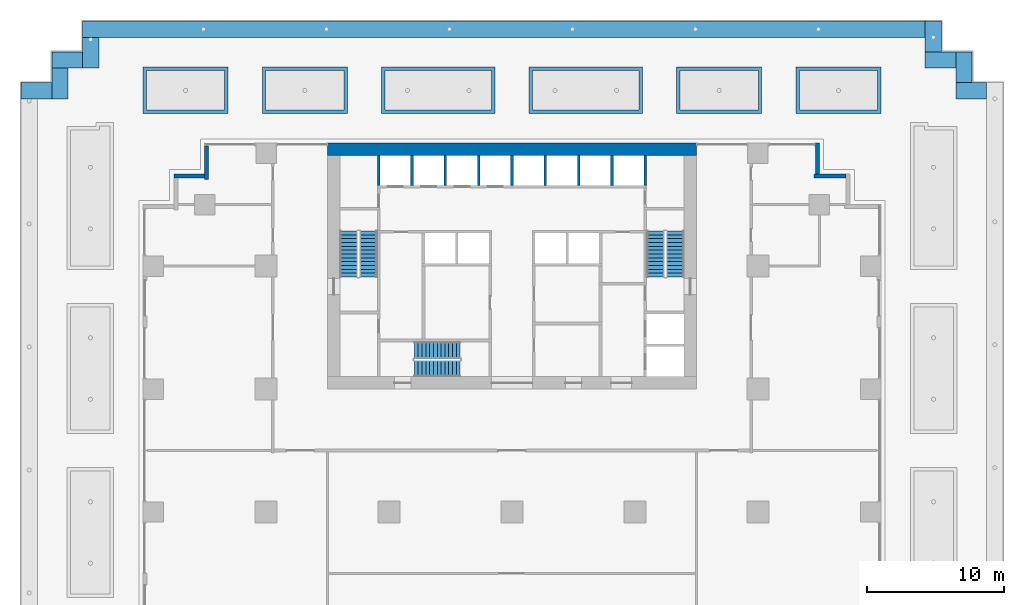
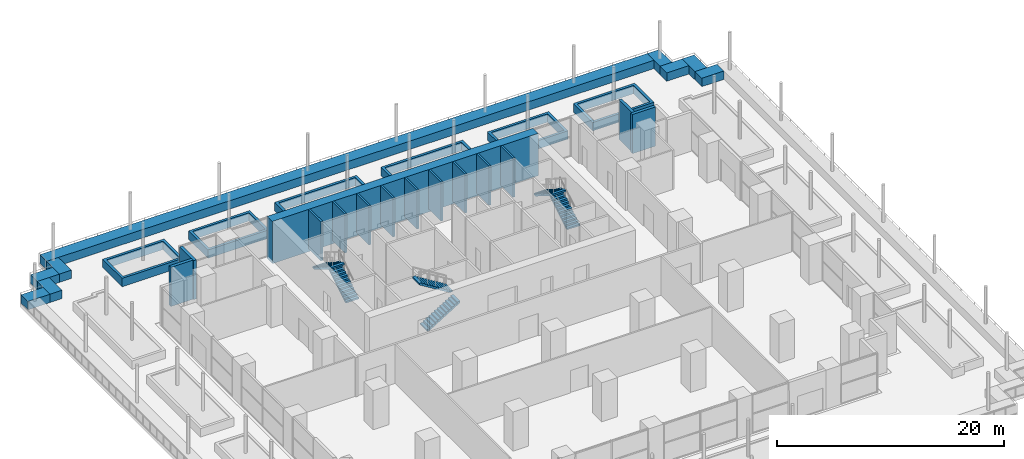
# One storey, part 12 of 18: 29 walls, 6 stair flights, 3 elements without a shape of their own.
"""IFC4 building model written with IfcOpenShell, lengths in metres."""

import ifcopenshell
import ifcopenshell.guid

model = None  # the IFC model being written
_history = None  # IfcOwnerHistory: only IFC2X3 demands one
_inside = {}  # id of a spatial element -> (the spatial element, [elements in it])
_under = {}  # id of a project, library or spatial element -> (it, [spatial elements below it])
_declared = {}  # id of a project -> (the project, [libraries it declares])
_typed = {}  # id of a type object -> (the type object, [elements of that type])
_made_of = {}  # id of a material, layer set ... -> (it, [elements and type objects made of it])


def new_model(schema):
    """Start an empty IFC model of exactly this schema.

    Asked for "IFC4X3", IfcOpenShell would pick the latest addendum, in which some entities
    have other attributes; the version numbers below select the first issue.
    IFC2X3 requires an IfcOwnerHistory on every rooted entity: one is made here for all.
    """
    global model, _history
    if schema == "IFC4X3":
        model = ifcopenshell.file(schema_version=(4, 3, 0, 0))
    else:
        model = ifcopenshell.file(schema=schema)
    _inside.clear()
    _under.clear()
    _declared.clear()
    _typed.clear()
    _made_of.clear()
    _history = None
    if model.schema == "IFC2X3":
        org = make("IfcOrganization", Name="unknown")
        user = make(
            "IfcPersonAndOrganization",
            ThePerson=make("IfcPerson", FamilyName="unknown"),
            TheOrganization=org,
        )
        app = make(
            "IfcApplication",
            ApplicationDeveloper=org,
            Version="unknown",
            ApplicationFullName="unknown",
            ApplicationIdentifier="unknown",
        )
        _history = make(
            "IfcOwnerHistory",
            OwningUser=user,
            OwningApplication=app,
            ChangeAction="ADDED",
            CreationDate=0,
        )
    return model


def make(cls, **values):
    """One entity of the class cls with the attributes given. An attribute that is None is left unset."""
    return model.create_entity(
        cls, **{name: value for name, value in values.items() if value is not None}
    )


def rooted(cls, **values):
    """An entity with a GlobalId (a new one), such as an element, a storey or a relation."""
    return make(cls, GlobalId=ifcopenshell.guid.new(), OwnerHistory=_history, **values)


def si_unit(unit_type, name, prefix=None):
    """IfcSIUnit, for example si_unit("LENGTHUNIT", "METRE", prefix="MILLI")."""
    return make("IfcSIUnit", UnitType=unit_type, Prefix=prefix, Name=name)


def assignment(units):
    """IfcUnitAssignment: the units of a project."""
    return None if units is None else make("IfcUnitAssignment", Units=units)


def point(xyz):
    """IfcCartesianPoint."""
    return None if xyz is None else make("IfcCartesianPoint", Coordinates=xyz)


def direction(xyz):
    """IfcDirection."""
    return None if xyz is None else make("IfcDirection", DirectionRatios=xyz)


def frame(location, z_axis=None, x_axis=None):
    """IfcAxis2Placement3D, a coordinate frame: its origin and axes. An axis left out is left unset."""
    return make(
        "IfcAxis2Placement3D",
        Location=point(location),
        Axis=direction(z_axis),
        RefDirection=direction(x_axis),
    )


def frame_2d(location, x_axis=None):
    """IfcAxis2Placement2D, a coordinate frame in the plane: its origin and x axis."""
    return make(
        "IfcAxis2Placement2D", Location=point(location), RefDirection=direction(x_axis)
    )


def origin():
    """The frame at (0, 0, 0) with its axes left unset."""
    return frame((0.0, 0.0, 0.0))


def place(relative_to, where):
    """IfcLocalPlacement: puts the frame where relative to a parent placement (None: the world)."""
    return make(
        "IfcLocalPlacement", PlacementRelTo=relative_to, RelativePlacement=where
    )


def context(
    kind, dimensions, precision=None, world=None, true_north=None, identifier=None
):
    """IfcGeometricRepresentationContext, for example the 3D "Model" context."""
    return make(
        "IfcGeometricRepresentationContext",
        ContextIdentifier=identifier,
        ContextType=kind,
        CoordinateSpaceDimension=dimensions,
        Precision=precision,
        WorldCoordinateSystem=world,
        TrueNorth=true_north,
    )


def subcontext(parent, identifier, kind, view, scale=None):
    """IfcGeometricRepresentationSubContext, for example "Body" below "Model"."""
    return make(
        "IfcGeometricRepresentationSubContext",
        ContextIdentifier=identifier,
        ContextType=kind,
        ParentContext=parent,
        TargetScale=scale,
        TargetView=view,
    )


def project(units=None, contexts=None):
    """IfcProject with its units and contexts."""
    return rooted(
        "IfcProject",
        Name="project",
        RepresentationContexts=contexts,
        UnitsInContext=assignment(units),
    )


def spatial(cls, under=None, at=None, **own):
    """A site, building, storey or space (cls), placed at a placement, below another one or the project."""
    s = rooted(cls, ObjectPlacement=at, **own)
    if under is not None:
        _under.setdefault(under.id(), (under, []))[1].append(s)
    return s


def polyline(points):
    """IfcPolyline through the points."""
    return make("IfcPolyline", Points=[point(p) for p in points])


def profile(cls, at=None, kind="AREA", **sizes):
    """A parametric profile (cls). Its sizes go by their IFC names, for example OverallWidth=200.0."""
    return make(cls, ProfileType=kind, Position=at, **sizes)


def rectangle(**sizes):
    """IfcRectangleProfileDef."""
    return profile("IfcRectangleProfileDef", **sizes)


def outline(outer, holes=None, kind="AREA"):
    """IfcArbitraryClosedProfileDef: a profile drawn as a closed curve; with holes, ...WithVoids."""
    if holes is None:
        return make("IfcArbitraryClosedProfileDef", ProfileType=kind, OuterCurve=outer)
    return make(
        "IfcArbitraryProfileDefWithVoids",
        ProfileType=kind,
        OuterCurve=outer,
        InnerCurves=holes,
    )


def extrude(swept, where, along, depth):
    """IfcExtrudedAreaSolid: the profile swept, set in the frame where, extruded along a direction by depth."""
    return make(
        "IfcExtrudedAreaSolid",
        SweptArea=swept,
        Position=where,
        ExtrudedDirection=direction(along),
        Depth=depth,
    )


def shape(context_of_items, identifier, shape_type, items):
    """IfcShapeRepresentation: the items that make up one representation, for example the "Body"."""
    return make(
        "IfcShapeRepresentation",
        ContextOfItems=context_of_items,
        RepresentationIdentifier=identifier,
        RepresentationType=shape_type,
        Items=items,
    )


def material(Name=None, Category=None):
    """IfcMaterial."""
    return make("IfcMaterial", Name=Name, Category=Category)


def layer(
    of_material, thickness, ventilated=None, Name=None, Category=None, Priority=None
):
    """IfcMaterialLayer: one layer of a wall or slab, of a material (None: an air gap)."""
    return make(
        "IfcMaterialLayer",
        Material=of_material,
        LayerThickness=thickness,
        IsVentilated=ventilated,
        Name=Name,
        Category=Category,
        Priority=Priority,
    )


def layer_set(layers, Name=None):
    """IfcMaterialLayerSet."""
    return make("IfcMaterialLayerSet", MaterialLayers=layers, LayerSetName=Name)


def made_of(thing, what):
    """Note that an element or type object is made of a material, layer set ...; save() writes the relation."""
    if what is not None:
        _made_of.setdefault(what.id(), (what, []))[1].append(thing)
    return thing


def type_object(cls, material=None, **own):
    """A type object (cls), such as IfcWallType, which elements share."""
    return made_of(rooted(cls, **own), material)


def element(
    cls,
    number,
    at=None,
    inside=None,
    cuts=None,
    type_object=None,
    material=None,
    context=None,
    identifier="Body",
    shape_type=None,
    held_by="IfcProductDefinitionShape",
    body=None,
    shapes=None,
    **own,
):
    """One element of the class cls, such as IfcWall. Its Tag is "e" and its number.

    at: its placement. inside: the storey or other place that contains it. cuts: it is an
    opening in that element (IfcRelVoidsElement). A single representation is given by context,
    identifier, shape_type and body (its items); several are given by shapes. held_by: the class
    of the entity that holds the representations. save() writes the other relations.
    """
    e = rooted(cls, Tag="e%d" % number, ObjectPlacement=at, **own)
    if body is not None:
        shapes = [shape(context, identifier, shape_type, body)]
    if shapes is not None:
        e.Representation = make(held_by, Representations=shapes)
    if inside is not None:
        _inside.setdefault(inside.id(), (inside, []))[1].append(e)
    if cuts is not None:
        rooted(
            "IfcRelVoidsElement", RelatingBuildingElement=cuts, RelatedOpeningElement=e
        )
    if type_object is not None:
        _typed.setdefault(type_object.id(), (type_object, []))[1].append(e)
    return made_of(e, material)


def aggregate(whole, parts):
    """IfcRelAggregates: a whole, such as a stair, and the parts it consists of."""
    return rooted("IfcRelAggregates", RelatingObject=whole, RelatedObjects=parts)


def save(model, path):
    """Write the relations noted so far, then the file.

    IfcRelAggregates (storeys below a building ...), IfcRelContainedInSpatialStructure (elements
    in a storey), IfcRelDefinesByType, IfcRelAssociatesMaterial and IfcRelDeclares: one each for
    every whole, place, type object, material and project.
    """
    for whole, parts in _under.values():
        aggregate(whole, parts)
    for where, things in _inside.values():
        rooted(
            "IfcRelContainedInSpatialStructure",
            RelatedElements=things,
            RelatingStructure=where,
        )
    for kind, things in _typed.values():
        rooted("IfcRelDefinesByType", RelatedObjects=things, RelatingType=kind)
    for what, things in _made_of.values():
        rooted("IfcRelAssociatesMaterial", RelatedObjects=things, RelatingMaterial=what)
    for by, libraries in _declared.values():
        rooted("IfcRelDeclares", RelatingContext=by, RelatedDefinitions=libraries)
    model.write(path)


model = new_model("IFC4")

# Units and contexts
model_context = context("Model", 3, precision=1e-05, world=origin(), true_north=direction((0.0, 1.0)))
body_context = subcontext(model_context, "Body", "Model", "MODEL_VIEW")
ifc_project = project(units=[si_unit("LENGTHUNIT", "METRE"), si_unit("AREAUNIT", "SQUARE_METRE"), si_unit("VOLUMEUNIT", "CUBIC_METRE"), si_unit("PLANEANGLEUNIT", "RADIAN"), si_unit("MASSUNIT", "GRAM", prefix="KILO")], contexts=[model_context])

# Site, building, storey
site_placement = place(None, origin())
site = spatial("IfcSite", under=ifc_project, at=site_placement, CompositionType="ELEMENT")
building_placement = place(site_placement, origin())
building = spatial("IfcBuilding", under=site, at=building_placement, Name="Orbiselva Terraces", CompositionType="ELEMENT")
storey_placement = place(building_placement, frame((0.0, 0.0, 10.5)))
storey = spatial("IfcBuildingStorey", under=building, at=storey_placement, Name="L02", CompositionType="ELEMENT", Elevation=10.5)

# Walls
ifc_material_1 = material(Name="Concrete C80/95", Category="concrete")
ifc_layer_1 = layer(ifc_material_1, 0.9)
ifc_layer_set_1 = layer_set([ifc_layer_1], Name="Concrete C80/95")
wall_type_1 = type_object("IfcWallType", Name="CORE WALL 900 EXTERNAL", PredefinedType="SHEAR", material=ifc_layer_set_1)
wall_1_placement = place(storey_placement, frame((13.5, 22.05, -0.35), z_axis=(0.0, 0.0, 1.0), x_axis=(-1.0, 0.0, 0.0)))
element("IfcWall", 1, at=wall_1_placement, inside=storey, type_object=wall_type_1, Name="Core wall L02 north", PredefinedType="SHEAR", context=body_context, shape_type="SweptSolid", body=[
    extrude(rectangle(XDim=27.0, YDim=0.9, at=frame_2d((13.5, 0.0))), origin(), (0.0, 0.0, 1.0), 4.55),
])
ifc_material_2 = material(Name="Concrete C40/50", Category="concrete")
ifc_layer_2 = layer(ifc_material_2, 0.2)
ifc_layer_set_2 = layer_set([ifc_layer_2], Name="Concrete C40/50")
wall_type_2 = type_object("IfcWallType", Name="CORE-WALL-SHAFT-200", PredefinedType="PARTITIONING", material=ifc_layer_set_2)
for number, where, z_axis, x_axis, name in (
    (2, (-9.75, 19.4, 0.0), (0.0, 0.0, 1.0), (0.0, 1.0, 0.0), "L02 core wall 11"),
    (3, (-7.3125, 19.4, 0.0), (0.0, 0.0, 1.0), (0.0, 1.0, 0.0), "L02 core wall 12"),
    (4, (-4.875, 19.4, 0.0), (0.0, 0.0, 1.0), (0.0, 1.0, 0.0), "L02 core wall 16"),
    (5, (-2.4375, 19.4, 0.0), (0.0, 0.0, 1.0), (0.0, 1.0, 0.0), "L02 core wall 18"),
    (6, (0.0, 19.4, 0.0), (0.0, 0.0, 1.0), (0.0, 1.0, 0.0), "L02 core wall 22"),
    (7, (2.4375, 19.4, 0.0), (0.0, 0.0, 1.0), (0.0, 1.0, 0.0), "L02 core wall 29"),
    (8, (4.875, 19.4, 0.0), (0.0, 0.0, 1.0), (0.0, 1.0, 0.0), "L02 core wall 31"),
    (9, (7.3125, 19.4, 0.0), (0.0, 0.0, 1.0), (0.0, 1.0, 0.0), "L02 core wall 37"),
    (10, (9.75, 19.4, 0.0), (0.0, 0.0, 1.0), (0.0, 1.0, 0.0), "L02 core wall 47"),
):
    element("IfcWall", number, at=place(storey_placement, frame(where, z_axis=z_axis, x_axis=x_axis)), inside=storey, type_object=wall_type_2, Name=name, PredefinedType="PARTITIONING", context=body_context, shape_type="SweptSolid", body=[
        extrude(rectangle(XDim=2.2, YDim=0.2, at=frame_2d((1.1, 0.0))), origin(), (0.0, 0.0, 1.0), 4.2),
    ])
ifc_layer_3 = layer(ifc_material_2, 1.2)
ifc_layer_set_3 = layer_set([ifc_layer_3], Name="Concrete C40/50")
wall_type_3 = type_object("IfcWallType", Name="ENV-GARDEN-BED-1200x900", PredefinedType="USERDEFINED", material=ifc_layer_set_3)
for number, where, z_axis, x_axis, name in (
    (11, (34.73, 26.33, 0.05), (0.0, 0.0, 1.0), (-1.0, 0.0, 0.0), "Planter bed L02 deck"),
    (12, (33.08, 26.93, 0.05), (0.0, 0.0, 1.0), (0.0, 1.0, 0.0), "Planter bed L02 deck"),
    (13, (32.48, 28.58, 0.05), (0.0, 0.0, 1.0), (-1.0, 0.0, 0.0), "Planter bed L02 deck"),
    (14, (30.83, 29.18, 0.05), (0.0, 0.0, 1.0), (0.0, 1.0, 0.0), "Planter bed L02 deck"),
):
    element("IfcWall", number, at=place(storey_placement, frame(where, z_axis=z_axis, x_axis=x_axis)), inside=storey, type_object=wall_type_3, Name=name, ObjectType="PLANTER", PredefinedType="USERDEFINED", context=body_context, shape_type="SweptSolid", body=[
        extrude(rectangle(XDim=2.25, YDim=1.2, at=frame_2d((1.125, 0.0))), origin(), (0.0, 0.0, 1.0), 0.9),
    ])
wall_2_placement = place(storey_placement, frame((30.23, 30.83, 0.05), z_axis=(0.0, 0.0, 1.0), x_axis=(-1.0, 0.0, 0.0)))
element("IfcWall", 15, at=wall_2_placement, inside=storey, type_object=wall_type_3, Name="Planter bed L02 deck", ObjectType="PLANTER", PredefinedType="USERDEFINED", context=body_context, shape_type="SweptSolid", body=[
    extrude(rectangle(XDim=61.66, YDim=1.2, at=frame_2d((30.83, 0.0))), origin(), (0.0, 0.0, 1.0), 0.9),
])
for number, where, z_axis, x_axis, name in (
    (16, (-30.83, 30.23, 0.05), (0.0, 0.0, 1.0), (0.0, -1.0, 0.0), "Planter bed L02 deck"),
    (17, (-31.43, 28.58, 0.05), (0.0, 0.0, 1.0), (-1.0, 0.0, 0.0), "Planter bed L02 deck"),
    (18, (-33.08, 27.98, 0.05), (0.0, 0.0, 1.0), (0.0, -1.0, 0.0), "Planter bed L02 deck"),
    (19, (-33.68, 26.33, 0.05), (0.0, 0.0, 1.0), (-1.0, 0.0, 0.0), "Planter bed L02 deck"),
):
    element("IfcWall", number, at=place(storey_placement, frame(where, z_axis=z_axis, x_axis=x_axis)), inside=storey, type_object=wall_type_3, Name=name, ObjectType="PLANTER", PredefinedType="USERDEFINED", context=body_context, shape_type="SweptSolid", body=[
        extrude(rectangle(XDim=2.25, YDim=1.2, at=frame_2d((1.125, 0.0))), origin(), (0.0, 0.0, 1.0), 0.9),
    ])
ifc_layer_4 = layer(ifc_material_2, 0.25)
ifc_layer_set_4 = layer_set([ifc_layer_4], Name="Concrete C40/50")
wall_type_4 = type_object("IfcWallType", Name="ENV-GARDEN-BED-250x900", PredefinedType="USERDEFINED", material=ifc_layer_set_4)
wall_3_placement = place(storey_placement, frame((0.0, 0.0, 0.05)))
element("IfcWall", 20, at=wall_3_placement, inside=storey, type_object=wall_type_4, Name="Planter L02 Planting bed 11", ObjectType="PLANTER", PredefinedType="USERDEFINED", context=body_context, shape_type="SweptSolid", body=[
    extrude(outline(polyline([(-27.0, 24.65), (-20.775, 24.65), (-20.775, 28.05), (-27.0, 28.05), (-27.0, 24.65)]), holes=[polyline([(-26.75, 27.8), (-21.025, 27.8), (-21.025, 24.9), (-26.75, 24.9), (-26.75, 27.8)])]), origin(), (0.0, 0.0, 1.0), 0.9),
])
wall_4_placement = place(storey_placement, frame((0.0, 0.0, 0.05)))
element("IfcWall", 21, at=wall_4_placement, inside=storey, type_object=wall_type_4, Name="Planter L02 Planting bed 12", ObjectType="PLANTER", PredefinedType="USERDEFINED", context=body_context, shape_type="SweptSolid", body=[
    extrude(outline(polyline([(-9.55, 24.65), (-1.25, 24.65), (-1.25, 28.05), (-9.55, 28.05), (-9.55, 24.65)]), holes=[polyline([(-9.3, 27.8), (-1.5, 27.8), (-1.5, 24.9), (-9.3, 24.9), (-9.3, 27.8)])]), origin(), (0.0, 0.0, 1.0), 0.9),
])
wall_5_placement = place(storey_placement, frame((0.0, 0.0, 0.05)))
element("IfcWall", 22, at=wall_5_placement, inside=storey, type_object=wall_type_4, Name="Planter L02 Planting bed 13", ObjectType="PLANTER", PredefinedType="USERDEFINED", context=body_context, shape_type="SweptSolid", body=[
    extrude(outline(polyline([(1.25, 24.65), (9.55, 24.65), (9.55, 28.05), (1.25, 28.05), (1.25, 24.65)]), holes=[polyline([(1.5, 27.8), (9.3, 27.8), (9.3, 24.9), (1.5, 24.9), (1.5, 27.8)])]), origin(), (0.0, 0.0, 1.0), 0.9),
])
wall_6_placement = place(storey_placement, frame((0.0, 0.0, 0.05)))
element("IfcWall", 23, at=wall_6_placement, inside=storey, type_object=wall_type_4, Name="Planter L02 Planting bed 14", ObjectType="PLANTER", PredefinedType="USERDEFINED", context=body_context, shape_type="SweptSolid", body=[
    extrude(outline(polyline([(12.05, 24.65), (18.275, 24.65), (18.275, 28.05), (12.05, 28.05), (12.05, 24.65)]), holes=[polyline([(12.3, 27.8), (18.025, 27.8), (18.025, 24.9), (12.3, 24.9), (12.3, 27.8)])]), origin(), (0.0, 0.0, 1.0), 0.9),
])
wall_7_placement = place(storey_placement, frame((0.0, 0.0, 0.05)))
element("IfcWall", 24, at=wall_7_placement, inside=storey, type_object=wall_type_4, Name="Planter L02 Planting bed 15", ObjectType="PLANTER", PredefinedType="USERDEFINED", context=body_context, shape_type="SweptSolid", body=[
    extrude(outline(polyline([(20.775, 24.65), (27.0, 24.65), (27.0, 28.05), (20.775, 28.05), (20.775, 24.65)]), holes=[polyline([(21.025, 27.8), (26.75, 27.8), (26.75, 24.9), (21.025, 24.9), (21.025, 27.8)])]), origin(), (0.0, 0.0, 1.0), 0.9),
])
wall_8_placement = place(storey_placement, frame((0.0, 0.0, 0.05)))
element("IfcWall", 25, at=wall_8_placement, inside=storey, type_object=wall_type_4, Name="Planter L02 Planting bed 16", ObjectType="PLANTER", PredefinedType="USERDEFINED", context=body_context, shape_type="SweptSolid", body=[
    extrude(outline(polyline([(-18.275, 24.65), (-12.05, 24.65), (-12.05, 28.05), (-18.275, 28.05), (-18.275, 24.65)]), holes=[polyline([(-18.025, 27.8), (-12.3, 27.8), (-12.3, 24.9), (-18.025, 24.9), (-18.025, 27.8)])]), origin(), (0.0, 0.0, 1.0), 0.9),
])
ifc_material_3 = material(Name="Terracotta cladding on masonry backing", Category="masonry")
ifc_layer_5 = layer(ifc_material_3, 0.3)
ifc_layer_set_5 = layer_set([ifc_layer_5], Name="Terracotta cladding on masonry backing")
wall_type_5 = type_object("IfcWallType", Name="ENV-WALL-TERRACOTTA-300", PredefinedType="SOLIDWALL", material=ifc_layer_set_5)
wall_9_placement = place(storey_placement, frame((22.1, 20.1, 0.0), z_axis=(0.0, 0.0, 1.0), x_axis=(1.0, 0.0, 0.0)))
element("IfcWall", 26, at=wall_9_placement, inside=storey, type_object=wall_type_5, Name="Facade wall L02 STEP", PredefinedType="SOLIDWALL", context=body_context, shape_type="SweptSolid", body=[
    extrude(rectangle(XDim=2.35, YDim=0.3, at=frame_2d((1.175, 0.0))), origin(), (0.0, 0.0, 1.0), 4.2),
])
wall_10_placement = place(storey_placement, frame((22.35, 22.5, 0.0), z_axis=(0.0, 0.0, 1.0), x_axis=(0.0, -1.0, 0.0)))
element("IfcWall", 27, at=wall_10_placement, inside=storey, type_object=wall_type_5, Name="Facade wall L02 STEP", PredefinedType="SOLIDWALL", context=body_context, shape_type="SweptSolid", body=[
    extrude(rectangle(XDim=2.25, YDim=0.3, at=frame_2d((1.125, 0.0))), origin(), (0.0, 0.0, 1.0), 4.2),
])
wall_11_placement = place(storey_placement, frame((-22.35, 19.85, 0.0), z_axis=(0.0, 0.0, 1.0), x_axis=(0.0, 1.0, 0.0)))
element("IfcWall", 28, at=wall_11_placement, inside=storey, type_object=wall_type_5, Name="Facade wall L02 STEP", PredefinedType="SOLIDWALL", context=body_context, shape_type="SweptSolid", body=[
    extrude(rectangle(XDim=2.45, YDim=0.3, at=frame_2d((1.225, 0.0))), origin(), (0.0, 0.0, 1.0), 4.2),
])
wall_12_placement = place(storey_placement, frame((-24.75, 20.1, 0.0), z_axis=(0.0, 0.0, 1.0), x_axis=(1.0, 0.0, 0.0)))
element("IfcWall", 29, at=wall_12_placement, inside=storey, type_object=wall_type_5, Name="Facade wall L02 STEP", PredefinedType="SOLIDWALL", context=body_context, shape_type="SweptSolid", body=[
    extrude(rectangle(XDim=2.25, YDim=0.3, at=frame_2d((1.125, 0.0))), origin(), (0.0, 0.0, 1.0), 4.2),
])

# Stair, stair flights
stair_type_1 = type_object("IfcStairType", Name="CORE-STAIR-1200", PredefinedType="HALF_TURN_STAIR", material=ifc_material_2)
stair_1_placement = place(storey_placement, origin())
stair_1 = element("IfcStair", 30, at=stair_1_placement, inside=storey, type_object=stair_type_1, Name="L02 Exit Stair S3", PredefinedType="HALF_TURN_STAIR")
stair_flight_type_1 = type_object("IfcStairFlightType", Name="CORE-STAIR-FLIGHT-1200", PredefinedType="STRAIGHT", material=ifc_material_2)
stair_flight_1_placement = place(storey_placement, frame((-7.15, 6.0, 0.0), z_axis=(0.0, 0.0, 1.0), x_axis=(1.0, 0.0, 0.0)))
stair_flight_1 = element("IfcStairFlight", 31, at=stair_flight_1_placement, type_object=stair_flight_type_1, Name="S3 flight 1", NumberOfRisers=13, NumberOfTreads=12, PredefinedType="STRAIGHT", RiserHeight=0.173076923, TreadLength=0.28, context=body_context, shape_type="SweptSolid", body=[
    extrude(outline(polyline([(0.0, 0.0), (0.0, 0.173077), (0.28, 0.173077), (0.28, 0.346154), (0.56, 0.346154), (0.56, 0.519231), (0.84, 0.519231), (0.84, 0.692308), (1.12, 0.692308), (1.12, 0.865385), (1.4, 0.865385), (1.4, 1.038462), (1.68, 1.038462), (1.68, 1.211538), (1.96, 1.211538), (1.96, 1.384615), (2.24, 1.384615), (2.24, 1.557692), (2.52, 1.557692), (2.52, 1.730769), (2.8, 1.730769), (2.8, 1.903846), (3.08, 1.903846), (3.08, 2.076923), (3.36, 2.076923), (3.36, 2.25), (3.36, 1.90058), (0.285284, 0.0), (0.0, 0.0)])), frame((0.0, 0.6, 0.0), z_axis=(0.0, -1.0, 0.0), x_axis=(1.0, 0.0, 0.0)), (0.0, 0.0, 1.0), 1.2),
])
stair_flight_2_placement = place(storey_placement, frame((-3.79, 7.35, 2.25), z_axis=(0.0, 0.0, 1.0), x_axis=(-1.0, 0.0, 0.0)))
stair_flight_2 = element("IfcStairFlight", 32, at=stair_flight_2_placement, type_object=stair_flight_type_1, Name="S3 flight 2", NumberOfRisers=13, NumberOfTreads=12, PredefinedType="STRAIGHT", RiserHeight=0.173076923, TreadLength=0.28, context=body_context, shape_type="SweptSolid", body=[
    extrude(outline(polyline([(0.0, 0.0), (0.0, 0.173077), (0.28, 0.173077), (0.28, 0.346154), (0.56, 0.346154), (0.56, 0.519231), (0.84, 0.519231), (0.84, 0.692308), (1.12, 0.692308), (1.12, 0.865385), (1.4, 0.865385), (1.4, 1.038462), (1.68, 1.038462), (1.68, 1.211538), (1.96, 1.211538), (1.96, 1.384615), (2.24, 1.384615), (2.24, 1.557692), (2.52, 1.557692), (2.52, 1.730769), (2.8, 1.730769), (2.8, 1.903846), (3.08, 1.903846), (3.08, 2.076923), (3.36, 2.076923), (3.36, 2.25), (3.36, 1.90058), (0.285284, 0.0), (0.0, 0.0)])), frame((0.0, 0.6, 0.0), z_axis=(0.0, -1.0, 0.0), x_axis=(1.0, 0.0, 0.0)), (0.0, 0.0, 1.0), 1.2),
])
aggregate(stair_1, [stair_flight_1, stair_flight_2])

stair_type_2 = type_object("IfcStairType", Name="CORE-STAIR-1300", PredefinedType="HALF_TURN_STAIR", material=ifc_material_2)
stair_2_placement = place(storey_placement, origin())
stair_2 = element("IfcStair", 33, at=stair_2_placement, inside=storey, type_object=stair_type_2, Name="L02 Exit Stair S1", PredefinedType="HALF_TURN_STAIR")
stair_flight_type_2 = type_object("IfcStairFlightType", Name="CORE-STAIR-FLIGHT-1300", PredefinedType="STRAIGHT", material=ifc_material_2)
stair_flight_3_placement = place(storey_placement, frame((-10.5, 12.7, 0.0), z_axis=(0.0, 0.0, 1.0), x_axis=(0.0, 1.0, 0.0)))
stair_flight_3 = element("IfcStairFlight", 34, at=stair_flight_3_placement, type_object=stair_flight_type_2, Name="S1 flight 1", NumberOfRisers=13, NumberOfTreads=12, PredefinedType="STRAIGHT", RiserHeight=0.173076923, TreadLength=0.28, context=body_context, shape_type="SweptSolid", body=[
    extrude(outline(polyline([(0.0, 0.0), (0.0, 0.173077), (0.28, 0.173077), (0.28, 0.346154), (0.56, 0.346154), (0.56, 0.519231), (0.84, 0.519231), (0.84, 0.692308), (1.12, 0.692308), (1.12, 0.865385), (1.4, 0.865385), (1.4, 1.038462), (1.68, 1.038462), (1.68, 1.211538), (1.96, 1.211538), (1.96, 1.384615), (2.24, 1.384615), (2.24, 1.557692), (2.52, 1.557692), (2.52, 1.730769), (2.8, 1.730769), (2.8, 1.903846), (3.08, 1.903846), (3.08, 2.076923), (3.36, 2.076923), (3.36, 2.25), (3.36, 1.90058), (0.285284, 0.0), (0.0, 0.0)])), frame((0.0, 0.65, 0.0), z_axis=(0.0, -1.0, 0.0), x_axis=(1.0, 0.0, 0.0)), (0.0, 0.0, 1.0), 1.3),
])
stair_flight_4_placement = place(storey_placement, frame((-11.95, 16.06, 2.25), z_axis=(0.0, 0.0, 1.0), x_axis=(0.0, -1.0, 0.0)))
stair_flight_4 = element("IfcStairFlight", 35, at=stair_flight_4_placement, type_object=stair_flight_type_2, Name="S1 flight 2", NumberOfRisers=13, NumberOfTreads=12, PredefinedType="STRAIGHT", RiserHeight=0.173076923, TreadLength=0.28, context=body_context, shape_type="SweptSolid", body=[
    extrude(outline(polyline([(0.0, 0.0), (0.0, 0.173077), (0.28, 0.173077), (0.28, 0.346154), (0.56, 0.346154), (0.56, 0.519231), (0.84, 0.519231), (0.84, 0.692308), (1.12, 0.692308), (1.12, 0.865385), (1.4, 0.865385), (1.4, 1.038462), (1.68, 1.038462), (1.68, 1.211538), (1.96, 1.211538), (1.96, 1.384615), (2.24, 1.384615), (2.24, 1.557692), (2.52, 1.557692), (2.52, 1.730769), (2.8, 1.730769), (2.8, 1.903846), (3.08, 1.903846), (3.08, 2.076923), (3.36, 2.076923), (3.36, 2.25), (3.36, 1.90058), (0.285284, 0.0), (0.0, 0.0)])), frame((0.0, 0.65, 0.0), z_axis=(0.0, -1.0, 0.0), x_axis=(1.0, 0.0, 0.0)), (0.0, 0.0, 1.0), 1.3),
])
aggregate(stair_2, [stair_flight_3, stair_flight_4])

stair_3_placement = place(storey_placement, origin())
stair_3 = element("IfcStair", 36, at=stair_3_placement, inside=storey, type_object=stair_type_2, Name="L02 Exit Stair S2", PredefinedType="HALF_TURN_STAIR")
stair_flight_5_placement = place(storey_placement, frame((11.95, 12.7, 0.0), z_axis=(0.0, 0.0, 1.0), x_axis=(0.0, 1.0, 0.0)))
stair_flight_5 = element("IfcStairFlight", 37, at=stair_flight_5_placement, type_object=stair_flight_type_2, Name="S2 flight 1", NumberOfRisers=13, NumberOfTreads=12, PredefinedType="STRAIGHT", RiserHeight=0.173076923, TreadLength=0.28, context=body_context, shape_type="SweptSolid", body=[
    extrude(outline(polyline([(0.0, 0.0), (0.0, 0.173077), (0.28, 0.173077), (0.28, 0.346154), (0.56, 0.346154), (0.56, 0.519231), (0.84, 0.519231), (0.84, 0.692308), (1.12, 0.692308), (1.12, 0.865385), (1.4, 0.865385), (1.4, 1.038462), (1.68, 1.038462), (1.68, 1.211538), (1.96, 1.211538), (1.96, 1.384615), (2.24, 1.384615), (2.24, 1.557692), (2.52, 1.557692), (2.52, 1.730769), (2.8, 1.730769), (2.8, 1.903846), (3.08, 1.903846), (3.08, 2.076923), (3.36, 2.076923), (3.36, 2.25), (3.36, 1.90058), (0.285284, 0.0), (0.0, 0.0)])), frame((0.0, 0.65, 0.0), z_axis=(0.0, -1.0, 0.0), x_axis=(1.0, 0.0, 0.0)), (0.0, 0.0, 1.0), 1.3),
])
stair_flight_6_placement = place(storey_placement, frame((10.5, 16.06, 2.25), z_axis=(0.0, 0.0, 1.0), x_axis=(0.0, -1.0, 0.0)))
stair_flight_6 = element("IfcStairFlight", 38, at=stair_flight_6_placement, type_object=stair_flight_type_2, Name="S2 flight 2", NumberOfRisers=13, NumberOfTreads=12, PredefinedType="STRAIGHT", RiserHeight=0.173076923, TreadLength=0.28, context=body_context, shape_type="SweptSolid", body=[
    extrude(outline(polyline([(0.0, 0.0), (0.0, 0.173077), (0.28, 0.173077), (0.28, 0.346154), (0.56, 0.346154), (0.56, 0.519231), (0.84, 0.519231), (0.84, 0.692308), (1.12, 0.692308), (1.12, 0.865385), (1.4, 0.865385), (1.4, 1.038462), (1.68, 1.038462), (1.68, 1.211538), (1.96, 1.211538), (1.96, 1.384615), (2.24, 1.384615), (2.24, 1.557692), (2.52, 1.557692), (2.52, 1.730769), (2.8, 1.730769), (2.8, 1.903846), (3.08, 1.903846), (3.08, 2.076923), (3.36, 2.076923), (3.36, 2.25), (3.36, 1.90058), (0.285284, 0.0), (0.0, 0.0)])), frame((0.0, 0.65, 0.0), z_axis=(0.0, -1.0, 0.0), x_axis=(1.0, 0.0, 0.0)), (0.0, 0.0, 1.0), 1.3),
])
aggregate(stair_3, [stair_flight_5, stair_flight_6])

save(model, "model.ifc")
